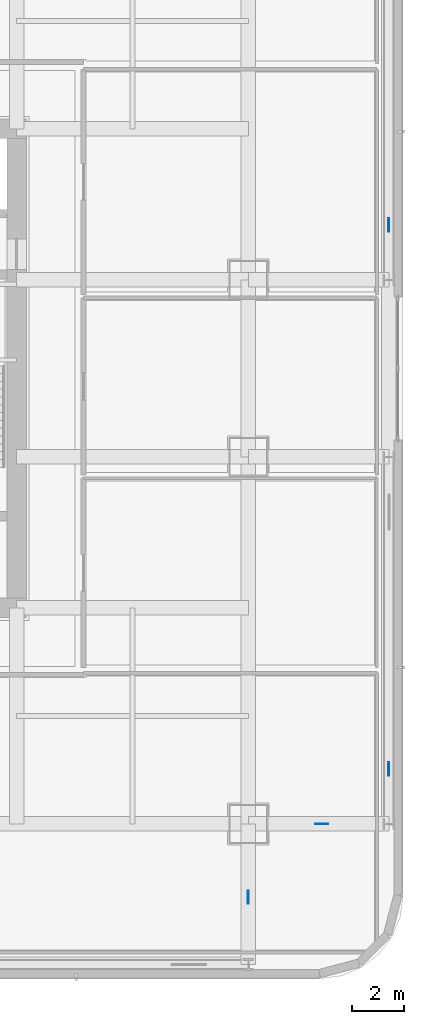
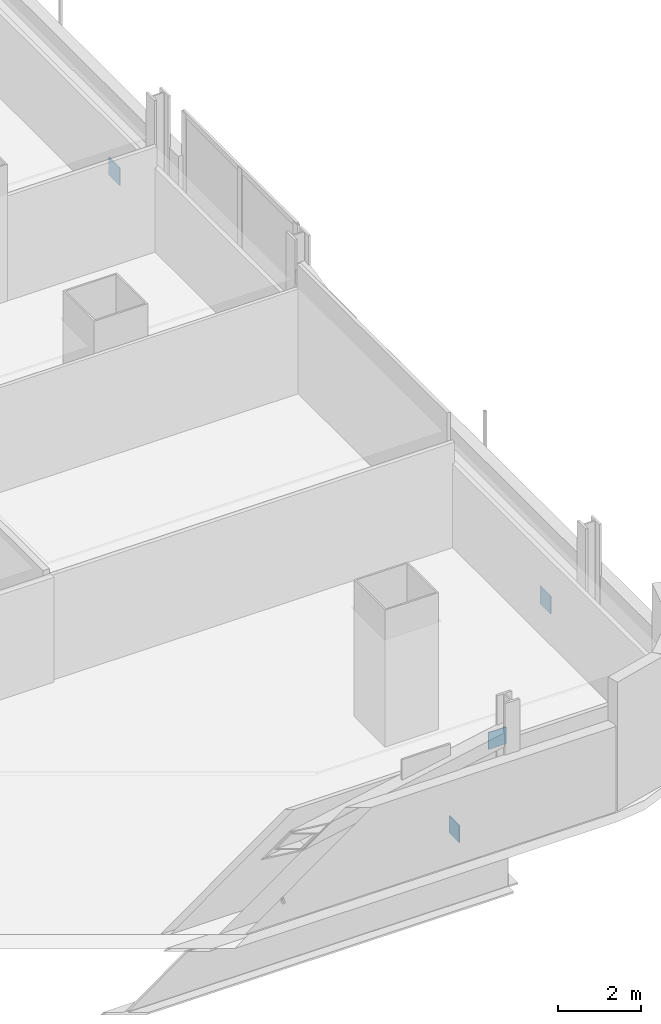
# One storey, part 9 of 27: 4 plates.
"""IFC4 building model written with IfcOpenShell, lengths in metres."""

import ifcopenshell
import ifcopenshell.guid

model = None  # the IFC model being written
_history = None  # IfcOwnerHistory: only IFC2X3 demands one
_inside = {}  # id of a spatial element -> (the spatial element, [elements in it])
_under = {}  # id of a project, library or spatial element -> (it, [spatial elements below it])
_declared = {}  # id of a project -> (the project, [libraries it declares])
_typed = {}  # id of a type object -> (the type object, [elements of that type])
_made_of = {}  # id of a material, layer set ... -> (it, [elements and type objects made of it])


def new_model(schema):
    """Start an empty IFC model of exactly this schema.

    Asked for "IFC4X3", IfcOpenShell would pick the latest addendum, in which some entities
    have other attributes; the version numbers below select the first issue.
    IFC2X3 requires an IfcOwnerHistory on every rooted entity: one is made here for all.
    """
    global model, _history
    if schema == "IFC4X3":
        model = ifcopenshell.file(schema_version=(4, 3, 0, 0))
    else:
        model = ifcopenshell.file(schema=schema)
    _inside.clear()
    _under.clear()
    _declared.clear()
    _typed.clear()
    _made_of.clear()
    _history = None
    if model.schema == "IFC2X3":
        org = make("IfcOrganization", Name="unknown")
        user = make(
            "IfcPersonAndOrganization",
            ThePerson=make("IfcPerson", FamilyName="unknown"),
            TheOrganization=org,
        )
        app = make(
            "IfcApplication",
            ApplicationDeveloper=org,
            Version="unknown",
            ApplicationFullName="unknown",
            ApplicationIdentifier="unknown",
        )
        _history = make(
            "IfcOwnerHistory",
            OwningUser=user,
            OwningApplication=app,
            ChangeAction="ADDED",
            CreationDate=0,
        )
    return model


def make(cls, **values):
    """One entity of the class cls with the attributes given. An attribute that is None is left unset."""
    return model.create_entity(
        cls, **{name: value for name, value in values.items() if value is not None}
    )


def rooted(cls, **values):
    """An entity with a GlobalId (a new one), such as an element, a storey or a relation."""
    return make(cls, GlobalId=ifcopenshell.guid.new(), OwnerHistory=_history, **values)


def si_unit(unit_type, name, prefix=None):
    """IfcSIUnit, for example si_unit("LENGTHUNIT", "METRE", prefix="MILLI")."""
    return make("IfcSIUnit", UnitType=unit_type, Prefix=prefix, Name=name)


def assignment(units):
    """IfcUnitAssignment: the units of a project."""
    return None if units is None else make("IfcUnitAssignment", Units=units)


def point(xyz):
    """IfcCartesianPoint."""
    return None if xyz is None else make("IfcCartesianPoint", Coordinates=xyz)


def direction(xyz):
    """IfcDirection."""
    return None if xyz is None else make("IfcDirection", DirectionRatios=xyz)


def frame(location, z_axis=None, x_axis=None):
    """IfcAxis2Placement3D, a coordinate frame: its origin and axes. An axis left out is left unset."""
    return make(
        "IfcAxis2Placement3D",
        Location=point(location),
        Axis=direction(z_axis),
        RefDirection=direction(x_axis),
    )


def frame_2d(location, x_axis=None):
    """IfcAxis2Placement2D, a coordinate frame in the plane: its origin and x axis."""
    return make(
        "IfcAxis2Placement2D", Location=point(location), RefDirection=direction(x_axis)
    )


def origin():
    """The frame at (0, 0, 0) with its axes left unset."""
    return frame((0.0, 0.0, 0.0))


def origin_2d():
    """The frame at (0, 0) in the plane with its x axis left unset."""
    return frame_2d((0.0, 0.0))


def place(relative_to, where):
    """IfcLocalPlacement: puts the frame where relative to a parent placement (None: the world)."""
    return make(
        "IfcLocalPlacement", PlacementRelTo=relative_to, RelativePlacement=where
    )


def context(
    kind, dimensions, precision=None, world=None, true_north=None, identifier=None
):
    """IfcGeometricRepresentationContext, for example the 3D "Model" context."""
    return make(
        "IfcGeometricRepresentationContext",
        ContextIdentifier=identifier,
        ContextType=kind,
        CoordinateSpaceDimension=dimensions,
        Precision=precision,
        WorldCoordinateSystem=world,
        TrueNorth=true_north,
    )


def subcontext(parent, identifier, kind, view, scale=None):
    """IfcGeometricRepresentationSubContext, for example "Body" below "Model"."""
    return make(
        "IfcGeometricRepresentationSubContext",
        ContextIdentifier=identifier,
        ContextType=kind,
        ParentContext=parent,
        TargetScale=scale,
        TargetView=view,
    )


def project(units=None, contexts=None):
    """IfcProject with its units and contexts."""
    return rooted(
        "IfcProject",
        Name="project",
        RepresentationContexts=contexts,
        UnitsInContext=assignment(units),
    )


def spatial(cls, under=None, at=None, **own):
    """A site, building, storey or space (cls), placed at a placement, below another one or the project."""
    s = rooted(cls, ObjectPlacement=at, **own)
    if under is not None:
        _under.setdefault(under.id(), (under, []))[1].append(s)
    return s


def profile(cls, at=None, kind="AREA", **sizes):
    """A parametric profile (cls). Its sizes go by their IFC names, for example OverallWidth=200.0."""
    return make(cls, ProfileType=kind, Position=at, **sizes)


def rectangle(**sizes):
    """IfcRectangleProfileDef."""
    return profile("IfcRectangleProfileDef", **sizes)


def extrude(swept, where, along, depth):
    """IfcExtrudedAreaSolid: the profile swept, set in the frame where, extruded along a direction by depth."""
    return make(
        "IfcExtrudedAreaSolid",
        SweptArea=swept,
        Position=where,
        ExtrudedDirection=direction(along),
        Depth=depth,
    )


def shape(context_of_items, identifier, shape_type, items):
    """IfcShapeRepresentation: the items that make up one representation, for example the "Body"."""
    return make(
        "IfcShapeRepresentation",
        ContextOfItems=context_of_items,
        RepresentationIdentifier=identifier,
        RepresentationType=shape_type,
        Items=items,
    )


def material(Name=None, Category=None):
    """IfcMaterial."""
    return make("IfcMaterial", Name=Name, Category=Category)


def layer(
    of_material, thickness, ventilated=None, Name=None, Category=None, Priority=None
):
    """IfcMaterialLayer: one layer of a wall or slab, of a material (None: an air gap)."""
    return make(
        "IfcMaterialLayer",
        Material=of_material,
        LayerThickness=thickness,
        IsVentilated=ventilated,
        Name=Name,
        Category=Category,
        Priority=Priority,
    )


def layer_set(layers, Name=None):
    """IfcMaterialLayerSet."""
    return make("IfcMaterialLayerSet", MaterialLayers=layers, LayerSetName=Name)


def made_of(thing, what):
    """Note that an element or type object is made of a material, layer set ...; save() writes the relation."""
    if what is not None:
        _made_of.setdefault(what.id(), (what, []))[1].append(thing)
    return thing


def type_object(cls, material=None, **own):
    """A type object (cls), such as IfcWallType, which elements share."""
    return made_of(rooted(cls, **own), material)


def element(
    cls,
    number,
    at=None,
    inside=None,
    cuts=None,
    type_object=None,
    material=None,
    context=None,
    identifier="Body",
    shape_type=None,
    held_by="IfcProductDefinitionShape",
    body=None,
    shapes=None,
    **own,
):
    """One element of the class cls, such as IfcWall. Its Tag is "e" and its number.

    at: its placement. inside: the storey or other place that contains it. cuts: it is an
    opening in that element (IfcRelVoidsElement). A single representation is given by context,
    identifier, shape_type and body (its items); several are given by shapes. held_by: the class
    of the entity that holds the representations. save() writes the other relations.
    """
    e = rooted(cls, Tag="e%d" % number, ObjectPlacement=at, **own)
    if body is not None:
        shapes = [shape(context, identifier, shape_type, body)]
    if shapes is not None:
        e.Representation = make(held_by, Representations=shapes)
    if inside is not None:
        _inside.setdefault(inside.id(), (inside, []))[1].append(e)
    if cuts is not None:
        rooted(
            "IfcRelVoidsElement", RelatingBuildingElement=cuts, RelatedOpeningElement=e
        )
    if type_object is not None:
        _typed.setdefault(type_object.id(), (type_object, []))[1].append(e)
    return made_of(e, material)


def aggregate(whole, parts):
    """IfcRelAggregates: a whole, such as a stair, and the parts it consists of."""
    return rooted("IfcRelAggregates", RelatingObject=whole, RelatedObjects=parts)


def save(model, path):
    """Write the relations noted so far, then the file.

    IfcRelAggregates (storeys below a building ...), IfcRelContainedInSpatialStructure (elements
    in a storey), IfcRelDefinesByType, IfcRelAssociatesMaterial and IfcRelDeclares: one each for
    every whole, place, type object, material and project.
    """
    for whole, parts in _under.values():
        aggregate(whole, parts)
    for where, things in _inside.values():
        rooted(
            "IfcRelContainedInSpatialStructure",
            RelatedElements=things,
            RelatingStructure=where,
        )
    for kind, things in _typed.values():
        rooted("IfcRelDefinesByType", RelatedObjects=things, RelatingType=kind)
    for what, things in _made_of.values():
        rooted("IfcRelAssociatesMaterial", RelatedObjects=things, RelatingMaterial=what)
    for by, libraries in _declared.values():
        rooted("IfcRelDeclares", RelatingContext=by, RelatedDefinitions=libraries)
    model.write(path)


model = new_model("IFC4")

# Units and contexts
model_context = context("Model", 3, precision=1e-05, world=origin(), true_north=direction((0.0, 1.0)))
body_context = subcontext(model_context, "Body", "Model", "MODEL_VIEW")
ifc_project = project(units=[si_unit("LENGTHUNIT", "METRE"), si_unit("AREAUNIT", "SQUARE_METRE"), si_unit("VOLUMEUNIT", "CUBIC_METRE"), si_unit("PLANEANGLEUNIT", "RADIAN"), si_unit("MASSUNIT", "GRAM", prefix="KILO")], contexts=[model_context])

# Site, building, storey
site_placement = place(None, origin())
site = spatial("IfcSite", under=ifc_project, at=site_placement, CompositionType="ELEMENT")
building_placement = place(site_placement, origin())
building = spatial("IfcBuilding", under=site, at=building_placement, Name="Punatoya Terracotta Tower", CompositionType="ELEMENT")
storey_placement = place(building_placement, frame((0.0, 0.0, 60.60009765625)))
storey = spatial("IfcBuildingStorey", under=building, at=storey_placement, Name="L13", CompositionType="ELEMENT", Elevation=60.60009765625)

# Plates
ifc_material = material(Name="Steel S460", Category="steel")
ifc_layer = layer(ifc_material, 0.031982421875)
ifc_layer_set = layer_set([ifc_layer], Name="Steel S460")
plate_type = type_object("IfcPlateType", Name="PLT-END-32", PredefinedType="USERDEFINED", material=ifc_layer_set)
for number, where, z_axis, x_axis, name in (
    (1, (24.5, -15.385009765625, 0.20849609375), (0.0, 0.0, 1.0), (0.0, 1.0, 0.0), "L13 Exoskeleton Base Node Plate E1"),
    (2, (24.5, 5.514892578125, 0.20849609375), (0.0, 0.0, 1.0), (0.0, 1.0, 0.0), "L13 Exoskeleton Base Node Plate E3"),
):
    element("IfcPlate", number, at=place(storey_placement, frame(where, z_axis=z_axis, x_axis=x_axis)), inside=storey, type_object=plate_type, Name=name, ObjectType="FLANGE_PLATE", PredefinedType="USERDEFINED", context=body_context, shape_type="SweptSolid", body=[
        extrude(rectangle(XDim=0.52001953125, YDim=0.031982421875, at=origin_2d()), origin(), (0.0, 0.0, 1.0), 0.52001953125),
    ])
for number, where, z_axis, x_axis, name in (
    (3, (21.916015625, -17.5, -1.68408203125), (0.0, 0.0, 1.0), (1.0, 0.0, 0.0), "L13 Knee-Strut Upper End Cap Plate E1"),
    (4, (19.10009765625, -20.31591796875, -1.68408203125), (0.0, 0.0, 1.0), (0.0, 1.0, 0.0), "L13 Knee-Strut Upper End Cap Plate S2"),
):
    element("IfcPlate", number, at=place(storey_placement, frame(where, z_axis=z_axis, x_axis=x_axis)), inside=storey, type_object=plate_type, Name=name, ObjectType="FLANGE_PLATE", PredefinedType="USERDEFINED", context=body_context, shape_type="SweptSolid", body=[
        extrude(rectangle(XDim=0.5, YDim=0.031982421875, at=origin_2d()), origin(), (0.0, 0.0, 1.0), 0.5),
    ])

save(model, "model.ifc")
